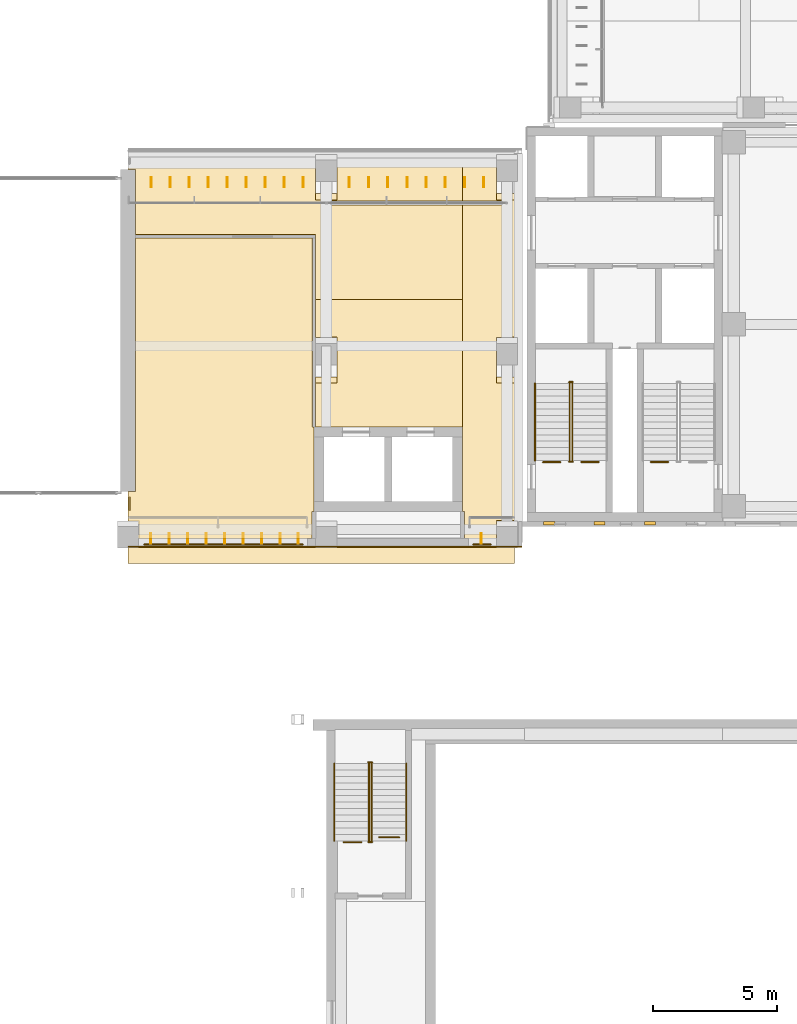
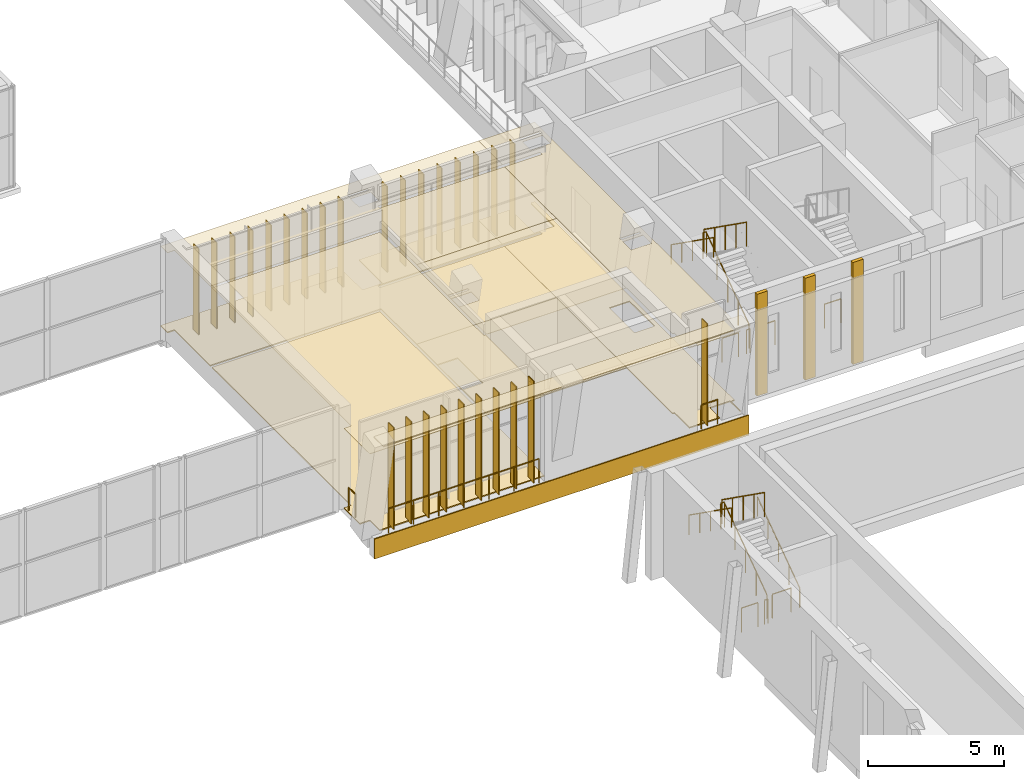
# One storey, part 77 of 92: 27 shading devices, 19 railings, 13 coverings.
"""IFC4 building model written with IfcOpenShell, lengths in metres."""

from ifc_helpers import new_model, si_unit, direction, frame, frame_2d, origin, origin_2d, place, context, subcontext, project, spatial, polyline, rectangle, circle, outline, extrude, material, layer, layer_set, type_object, element, save


model = new_model("IFC4")

# Units and contexts
model_context = context("Model", 3, precision=1e-05, world=origin(), true_north=direction((0.0, 1.0)))
body_context = subcontext(model_context, "Body", "Model", "MODEL_VIEW")
ifc_project = project(units=[si_unit("LENGTHUNIT", "METRE"), si_unit("AREAUNIT", "SQUARE_METRE"), si_unit("VOLUMEUNIT", "CUBIC_METRE"), si_unit("PLANEANGLEUNIT", "RADIAN"), si_unit("MASSUNIT", "GRAM", prefix="KILO")], contexts=[model_context])

# Site, building, storey
site_placement = place(None, origin())
site = spatial("IfcSite", under=ifc_project, at=site_placement, CompositionType="ELEMENT")
building_placement = place(site_placement, origin())
building = spatial("IfcBuilding", under=site, at=building_placement, Name="Lantern Court Media Centre", CompositionType="ELEMENT")
storey_placement = place(building_placement, frame((0.0, 0.0, 4.800048828125)))
storey = spatial("IfcBuildingStorey", under=building, at=storey_placement, Name="L01", CompositionType="ELEMENT", Elevation=4.800048828125)

# Covering
ifc_material_1 = material(Name="Carpet")
ifc_layer_1 = layer(ifc_material_1, 0.050048828125)
ifc_layer_set_1 = layer_set([ifc_layer_1], Name="Carpet")
covering_type_1 = type_object("IfcCoveringType", Name="Carpet floor finish", PredefinedType="FLOORING", material=ifc_layer_set_1)
covering_1_placement = place(storey_placement, origin())
element("IfcCovering", 1, at=covering_1_placement, inside=storey, type_object=covering_type_1, Name="Exhibition Gallery floor finish", PredefinedType="FLOORING", context=body_context, shape_type="SweptSolid", body=[
    extrude(outline(polyline([(64.0, 49.195068359375), (64.304931640625, 49.199951171875), (64.304931640625, 59.4326171875), (71.4326171875, 59.4326171875), (71.4326171875, 51.800048828125), (71.4951171875, 51.794921875), (71.4951171875, 48.405029296875), (71.4150390625, 48.400390625), (71.4150390625, 47.304931640625), (64.429931640625, 47.300048828125), (64.429443359375, 48.02734375), (64.0, 48.030029296875), (64.0, 49.195068359375)])), origin(), (0.0, 0.0, 1.0), 0.050048828125),
])

# Railings
ifc_material_2 = material(Name="Powder-coated steel", Category="steel")
railing_type_1 = type_object("IfcRailingType", Name="Floor edge guard 1100", PredefinedType="GUARDRAIL", material=ifc_material_2)
for number, where, name in (
    (2, (85.8037109375, 50.390380859375, 0.0), "L01 opening guard 48"),
    (3, (83.0, 50.390380859375, 0.0), "L01 opening guard 49"),
    (4, (81.45361328125, 50.390380859375, 0.0), "L01 opening guard 50"),
):
    element("IfcRailing", number, at=place(storey_placement, frame(where)), inside=storey, type_object=railing_type_1, Name=name, PredefinedType="GUARDRAIL", context=body_context, shape_type="SweptSolid", body=[
        extrude(circle(Radius=0.02392578125, at=origin_2d()), frame((0.0, 0.0, 1.076171875), z_axis=(-1.0, 0.0, 0.0), x_axis=(0.0, -1.0, 0.0)), (0.0, 0.0, 1.0), 0.70361328125),
        extrude(circle(Radius=0.02099609375, at=origin_2d()), origin(), (0.0, 0.0, 1.0), 1.052001953125),
        extrude(circle(Radius=0.02099609375, at=origin_2d()), frame((-0.70361328125, 0.0, 0.0)), (0.0, 0.0, 1.0), 1.052001953125),
    ])
railing_1_placement = place(storey_placement, frame((64.06005859375, 48.4580078125, 0.0)))
element("IfcRailing", 5, at=railing_1_placement, inside=storey, type_object=railing_type_1, Name="L01 edge guard 18", PredefinedType="GUARDRAIL", context=body_context, shape_type="SweptSolid", body=[
    extrude(circle(Radius=0.02392578125, at=origin_2d()), frame((0.0, 0.0, 1.076171875), z_axis=(0.0, 1.0, 0.0), x_axis=(-1.0, 0.0, 0.0)), (0.0, 0.0, 1.0), 0.5),
    extrude(circle(Radius=0.02099609375, at=origin_2d()), origin(), (0.0, 0.0, 1.0), 1.052001953125),
    extrude(circle(Radius=0.02099609375, at=origin_2d()), frame((0.0, 0.5, 0.0)), (0.0, 0.0, 1.0), 1.052001953125),
])
railing_2_placement = place(storey_placement, frame((71.051025390625, 47.06005859375, 0.0)))
element("IfcRailing", 6, at=railing_2_placement, inside=storey, type_object=railing_type_1, Name="L01 edge guard 20", PredefinedType="GUARDRAIL", context=body_context, shape_type="SweptSolid", body=[
    extrude(circle(Radius=0.02392578125, at=origin_2d()), frame((0.0, 0.0, 1.076171875), z_axis=(-1.0, 0.0, 0.0), x_axis=(0.0, -1.0, 0.0)), (0.0, 0.0, 1.0), 6.39208984375),
    extrude(circle(Radius=0.02099609375, at=origin_2d()), origin(), (0.0, 0.0, 1.0), 1.052001953125),
    extrude(circle(Radius=0.02099609375, at=origin_2d()), frame((-1.0654296875, 0.0, 0.0)), (0.0, 0.0, 1.0), 1.052001953125),
    extrude(circle(Radius=0.02099609375, at=origin_2d()), frame((-2.130615234375, 0.0, 0.0)), (0.0, 0.0, 1.0), 1.052001953125),
    extrude(circle(Radius=0.02099609375, at=origin_2d()), frame((-3.196044921875, 0.0, 0.0)), (0.0, 0.0, 1.0), 1.052001953125),
    extrude(circle(Radius=0.02099609375, at=origin_2d()), frame((-4.261474609375, 0.0, 0.0)), (0.0, 0.0, 1.0), 1.052001953125),
    extrude(circle(Radius=0.02099609375, at=origin_2d()), frame((-5.32666015625, 0.0, 0.0)), (0.0, 0.0, 1.0), 1.052001953125),
    extrude(circle(Radius=0.02099609375, at=origin_2d()), frame((-6.39208984375, 0.0, 0.0)), (0.0, 0.0, 1.0), 1.052001953125),
])
railing_3_placement = place(storey_placement, frame((72.7099609375, 35.0400390625, 0.0)))
element("IfcRailing", 7, at=railing_3_placement, inside=storey, type_object=railing_type_1, Name="L01 edge guard 21", PredefinedType="GUARDRAIL", context=body_context, shape_type="SweptSolid", body=[
    extrude(circle(Radius=0.02392578125, at=origin_2d()), frame((0.0, 0.0, 1.076171875), z_axis=(1.0, 0.0, 0.0), x_axis=(0.0, 1.0, 0.0)), (0.0, 0.0, 1.0), 0.699951171875),
    extrude(circle(Radius=0.02099609375, at=origin_2d()), origin(), (0.0, 0.0, 1.0), 1.052001953125),
    extrude(circle(Radius=0.02099609375, at=origin_2d()), frame((0.699951171875, 0.0, 0.0)), (0.0, 0.0, 1.0), 1.052001953125),
])
railing_4_placement = place(storey_placement, frame((74.139892578125, 35.239990234375, 0.0)))
element("IfcRailing", 8, at=railing_4_placement, inside=storey, type_object=railing_type_1, Name="L01 edge guard 22", PredefinedType="GUARDRAIL", context=body_context, shape_type="SweptSolid", body=[
    extrude(circle(Radius=0.02392578125, at=origin_2d()), frame((0.0, 0.0, 1.076171875), z_axis=(1.0, 0.0, 0.0), x_axis=(0.0, 1.0, 0.0)), (0.0, 0.0, 1.0), 0.800048828125),
    extrude(circle(Radius=0.02099609375, at=origin_2d()), origin(), (0.0, 0.0, 1.0), 1.052001953125),
    extrude(circle(Radius=0.02099609375, at=origin_2d()), frame((0.800048828125, 0.0, 0.0)), (0.0, 0.0, 1.0), 1.052001953125),
])
railing_5_placement = place(storey_placement, frame((78.64111328125, 47.06005859375, 0.0)))
element("IfcRailing", 9, at=railing_5_placement, inside=storey, type_object=railing_type_1, Name="L01 edge guard 25", PredefinedType="GUARDRAIL", context=body_context, shape_type="SweptSolid", body=[
    extrude(circle(Radius=0.02392578125, at=origin_2d()), frame((0.0, 0.0, 1.076171875), z_axis=(-1.0, 0.0, 0.0), x_axis=(0.0, -1.0, 0.0)), (0.0, 0.0, 1.0), 0.69921875),
    extrude(circle(Radius=0.02099609375, at=origin_2d()), origin(), (0.0, 0.0, 1.0), 1.052001953125),
    extrude(circle(Radius=0.02099609375, at=origin_2d()), frame((-0.69921875, 0.0, 0.0)), (0.0, 0.0, 1.0), 1.052001953125),
])

# Coverings
ifc_material_3 = material(Name="White glass-fibre reinforced cement cladding", Category="concrete")
ifc_layer_2 = layer(ifc_material_3, 0.050048828125)
ifc_layer_set_2 = layer_set([ifc_layer_2], Name="White glass-fibre reinforced cement cladding")
covering_type_2 = type_object("IfcCoveringType", Name="Floor-edge band 50", PredefinedType="CLADDING", material=ifc_layer_set_2)
covering_2_placement = place(storey_placement, frame((64.0, 46.97509765625, -0.900146484375), z_axis=(0.0, 0.0, 1.0), x_axis=(1.0, 0.0, 0.0)))
element("IfcCovering", 10, at=covering_2_placement, inside=storey, type_object=covering_type_2, Name="Floor-edge band S outer L01", PredefinedType="CLADDING", context=body_context, shape_type="SweptSolid", body=[
    extrude(rectangle(XDim=15.89990234375, YDim=0.050048828125, at=frame_2d((7.949951171875, 0.0))), origin(), (0.0, 0.0, 1.0), 0.900146484375),
])
ifc_material_4 = material(Name="Honed limestone cladding", Category="masonry")
ifc_layer_3 = layer(ifc_material_4, 0.14990234375)
ifc_layer_set_3 = layer_set([ifc_layer_3], Name="Honed limestone cladding")
covering_type_3 = type_object("IfcCoveringType", Name="Limestone pilaster cladding 150", PredefinedType="CLADDING", material=ifc_layer_set_3)
covering_3_placement = place(storey_placement, frame((80.77490234375, 47.925048828125, 0.0), z_axis=(0.0, 0.0, 1.0), x_axis=(1.0, 0.0, 0.0)))
element("IfcCovering", 11, at=covering_3_placement, inside=storey, type_object=covering_type_3, Name="Limestone pilaster rib", PredefinedType="CLADDING", context=body_context, shape_type="SweptSolid", body=[
    extrude(rectangle(XDim=0.4501953125, YDim=0.14990234375, at=frame_2d((0.22509765625, 0.0))), origin(), (0.0, 0.0, 1.0), 4.579833984375),
])
covering_4_placement = place(storey_placement, frame((82.808349609375, 47.925048828125, 0.0), z_axis=(0.0, 0.0, 1.0), x_axis=(1.0, 0.0, 0.0)))
element("IfcCovering", 12, at=covering_4_placement, inside=storey, type_object=covering_type_3, Name="Limestone pilaster rib", PredefinedType="CLADDING", context=body_context, shape_type="SweptSolid", body=[
    extrude(rectangle(XDim=0.449951171875, YDim=0.14990234375, at=frame_2d((0.22509765625, 0.0))), origin(), (0.0, 0.0, 1.0), 4.579833984375),
])
covering_5_placement = place(storey_placement, frame((84.841552734375, 47.925048828125, 0.0), z_axis=(0.0, 0.0, 1.0), x_axis=(1.0, 0.0, 0.0)))
element("IfcCovering", 13, at=covering_5_placement, inside=storey, type_object=covering_type_3, Name="Limestone pilaster rib", PredefinedType="CLADDING", context=body_context, shape_type="SweptSolid", body=[
    extrude(rectangle(XDim=0.4501953125, YDim=0.14990234375, at=frame_2d((0.22509765625, 0.0))), origin(), (0.0, 0.0, 1.0), 4.579833984375),
])
ifc_material_5 = material(Name="White fibre cement soffit board")
ifc_layer_4 = layer(ifc_material_5, 0.0400390625)
ifc_layer_set_4 = layer_set([ifc_layer_4], Name="White fibre cement soffit board")
covering_type_4 = type_object("IfcCoveringType", Name="Soffit lining 40", PredefinedType="CLADDING", material=ifc_layer_set_4)
covering_6_placement = place(storey_placement, frame((64.0, 46.64990234375, 4.5400390625), z_axis=(0.0, 0.0, 1.0), x_axis=(1.0, 0.0, 0.0)))
element("IfcCovering", 14, at=covering_6_placement, inside=storey, type_object=covering_type_4, Name="Soffit lining S L01", PredefinedType="CLADDING", context=body_context, shape_type="SweptSolid", body=[
    extrude(rectangle(XDim=15.60009765625, YDim=0.699951171875, at=frame_2d((7.800048828125, 0.0))), origin(), (0.0, 0.0, 1.0), 0.039794921875),
])

# Railings
railing_type_2 = type_object("IfcRailingType", Name="Stair guard 1100", PredefinedType="GUARDRAIL", material=ifc_material_2)
railing_6_placement = place(storey_placement, frame((81.926025390625, 50.449951171875, 0.1845703125)))
element("IfcRailing", 15, at=railing_6_placement, inside=storey, type_object=railing_type_2, Name="L01 ST-SEB stair guard 1", PredefinedType="GUARDRAIL", context=body_context, shape_type="SweptSolid", body=[
    extrude(circle(Radius=0.02392578125, at=origin_2d()), frame((0.0, 0.0, 1.076171875), z_axis=(0.0, 0.815376961211, 0.578930402662), x_axis=(-1.0, 0.0, 0.0)), (0.0, 0.0, 1.0), 3.82666015625),
    extrude(circle(Radius=0.02099609375, at=origin_2d()), origin(), (0.0, 0.0, 1.0), 1.052001953125),
    extrude(circle(Radius=0.02099609375, at=origin_2d()), frame((0.0, 0.780029296875, 0.5537109375)), (0.0, 0.0, 1.0), 1.052001953125),
    extrude(circle(Radius=0.02099609375, at=origin_2d()), frame((0.0, 1.56005859375, 1.107666015625)), (0.0, 0.0, 1.0), 1.052001953125),
    extrude(circle(Radius=0.02099609375, at=origin_2d()), frame((0.0, 2.340087890625, 1.66162109375)), (0.0, 0.0, 1.0), 1.052001953125),
    extrude(circle(Radius=0.02099609375, at=origin_2d()), frame((0.0, 3.1201171875, 2.21533203125)), (0.0, 0.0, 1.0), 1.052001953125),
])
railing_7_placement = place(storey_placement, frame((81.949951171875, 53.6201171875, 2.39990234375)))
element("IfcRailing", 16, at=railing_7_placement, inside=storey, type_object=railing_type_2, Name="L01 ST-SEB stair guard 2", PredefinedType="GUARDRAIL", context=body_context, shape_type="SweptSolid", body=[
    extrude(circle(Radius=0.02392578125, at=origin_2d()), frame((0.0, 0.0, 1.076171875), z_axis=(-1.0, 0.0, 0.0), x_axis=(0.0, -1.0, 0.0)), (0.0, 0.0, 1.0), 0.14990234375),
    extrude(circle(Radius=0.02099609375, at=origin_2d()), origin(), (0.0, 0.0, 1.0), 1.052001953125),
    extrude(circle(Radius=0.02099609375, at=origin_2d()), frame((-0.14990234375, 0.0, 0.0)), (0.0, 0.0, 1.0), 1.052001953125),
])
railing_8_placement = place(storey_placement, frame((81.823974609375, 53.570068359375, 2.58447265625)))
element("IfcRailing", 17, at=railing_8_placement, inside=storey, type_object=railing_type_2, Name="L01 ST-SEB stair guard 3", PredefinedType="GUARDRAIL", context=body_context, shape_type="SweptSolid", body=[
    extrude(circle(Radius=0.02392578125, at=origin_2d()), frame((0.0, 0.0, 1.076171875), z_axis=(0.0, -0.815346844174, 0.578972817752), x_axis=(1.0, 0.0, 0.0)), (0.0, 0.0, 1.0), 3.82666015625),
    extrude(circle(Radius=0.02099609375, at=origin_2d()), origin(), (0.0, 0.0, 1.0), 1.052001953125),
    extrude(circle(Radius=0.02099609375, at=origin_2d()), frame((0.0, -0.780029296875, 0.553955078125)), (0.0, 0.0, 1.0), 1.052001953125),
    extrude(circle(Radius=0.02099609375, at=origin_2d()), frame((0.0, -1.56005859375, 1.10791015625)), (0.0, 0.0, 1.0), 1.052001953125),
    extrude(circle(Radius=0.02099609375, at=origin_2d()), frame((0.0, -2.340087890625, 1.66162109375)), (0.0, 0.0, 1.0), 1.052001953125),
    extrude(circle(Radius=0.02099609375, at=origin_2d()), frame((0.0, -3.1201171875, 2.215576171875)), (0.0, 0.0, 1.0), 1.052001953125),
])
railing_9_placement = place(storey_placement, frame((81.949951171875, 50.39990234375, 0.0)))
element("IfcRailing", 18, at=railing_9_placement, inside=storey, type_object=railing_type_2, Name="L01 ST-SEB stair guard 4", PredefinedType="GUARDRAIL", context=body_context, shape_type="SweptSolid", body=[
    extrude(circle(Radius=0.02392578125, at=origin_2d()), frame((0.0, 0.0, 1.076171875), z_axis=(-1.0, 0.0, 0.0), x_axis=(0.0, -1.0, 0.0)), (0.0, 0.0, 1.0), 0.14990234375),
    extrude(circle(Radius=0.02099609375, at=origin_2d()), origin(), (0.0, 0.0, 1.0), 1.052001953125),
    extrude(circle(Radius=0.02099609375, at=origin_2d()), frame((-0.14990234375, 0.0, 0.0)), (0.0, 0.0, 1.0), 1.052001953125),
])
railing_10_placement = place(storey_placement, frame((73.825927734375, 35.10009765625, 0.1845703125)))
element("IfcRailing", 19, at=railing_10_placement, inside=storey, type_object=railing_type_2, Name="L01 ST-V2-ST-W stair guard 1", PredefinedType="GUARDRAIL", context=body_context, shape_type="SweptSolid", body=[
    extrude(circle(Radius=0.02392578125, at=origin_2d()), frame((0.0, 0.0, 1.076171875), z_axis=(0.0, 0.815355575968, 0.57896052088), x_axis=(-1.0, 0.0, 0.0)), (0.0, 0.0, 1.0), 3.826416015625),
    extrude(circle(Radius=0.02099609375, at=origin_2d()), origin(), (0.0, 0.0, 1.0), 1.052001953125),
    extrude(circle(Radius=0.02099609375, at=origin_2d()), frame((0.0, 0.780029296875, 0.5537109375)), (0.0, 0.0, 1.0), 1.052001953125),
    extrude(circle(Radius=0.02099609375, at=origin_2d()), frame((0.0, 1.56005859375, 1.107666015625)), (0.0, 0.0, 1.0), 1.052001953125),
    extrude(circle(Radius=0.02099609375, at=origin_2d()), frame((0.0, 2.33984375, 1.66162109375)), (0.0, 0.0, 1.0), 1.052001953125),
    extrude(circle(Radius=0.02099609375, at=origin_2d()), frame((0.0, 3.119873046875, 2.21533203125)), (0.0, 0.0, 1.0), 1.052001953125),
])
railing_11_placement = place(storey_placement, frame((73.85009765625, 38.27001953125, 2.39990234375)))
element("IfcRailing", 20, at=railing_11_placement, inside=storey, type_object=railing_type_2, Name="L01 ST-V2-ST-W stair guard 2", PredefinedType="GUARDRAIL", context=body_context, shape_type="SweptSolid", body=[
    extrude(circle(Radius=0.02392578125, at=origin_2d()), frame((0.0, 0.0, 1.076171875), z_axis=(-1.0, 0.0, 0.0), x_axis=(0.0, -1.0, 0.0)), (0.0, 0.0, 1.0), 0.150146484375),
    extrude(circle(Radius=0.02099609375, at=origin_2d()), origin(), (0.0, 0.0, 1.0), 1.052001953125),
    extrude(circle(Radius=0.02099609375, at=origin_2d()), frame((-0.150146484375, 0.0, 0.0)), (0.0, 0.0, 1.0), 1.052001953125),
])
railing_12_placement = place(storey_placement, frame((73.72412109375, 38.219970703125, 2.58447265625)))
element("IfcRailing", 21, at=railing_12_placement, inside=storey, type_object=railing_type_2, Name="L01 ST-V2-ST-W stair guard 3", PredefinedType="GUARDRAIL", context=body_context, shape_type="SweptSolid", body=[
    extrude(circle(Radius=0.02392578125, at=origin_2d()), frame((0.0, 0.0, 1.076171875), z_axis=(0.0, -0.815325456587, 0.579002935952), x_axis=(1.0, 0.0, 0.0)), (0.0, 0.0, 1.0), 3.826416015625),
    extrude(circle(Radius=0.02099609375, at=origin_2d()), origin(), (0.0, 0.0, 1.0), 1.052001953125),
    extrude(circle(Radius=0.02099609375, at=origin_2d()), frame((0.0, -0.780029296875, 0.553955078125)), (0.0, 0.0, 1.0), 1.052001953125),
    extrude(circle(Radius=0.02099609375, at=origin_2d()), frame((0.0, -1.56005859375, 1.10791015625)), (0.0, 0.0, 1.0), 1.052001953125),
    extrude(circle(Radius=0.02099609375, at=origin_2d()), frame((0.0, -2.33984375, 1.66162109375)), (0.0, 0.0, 1.0), 1.052001953125),
    extrude(circle(Radius=0.02099609375, at=origin_2d()), frame((0.0, -3.119873046875, 2.215576171875)), (0.0, 0.0, 1.0), 1.052001953125),
])
railing_13_placement = place(storey_placement, frame((73.85009765625, 35.050048828125, 0.0)))
element("IfcRailing", 22, at=railing_13_placement, inside=storey, type_object=railing_type_2, Name="L01 ST-V2-ST-W stair guard 4", PredefinedType="GUARDRAIL", context=body_context, shape_type="SweptSolid", body=[
    extrude(circle(Radius=0.02392578125, at=origin_2d()), frame((0.0, 0.0, 1.076171875), z_axis=(-1.0, 0.0, 0.0), x_axis=(0.0, -1.0, 0.0)), (0.0, 0.0, 1.0), 0.150146484375),
    extrude(circle(Radius=0.02099609375, at=origin_2d()), origin(), (0.0, 0.0, 1.0), 1.052001953125),
    extrude(circle(Radius=0.02099609375, at=origin_2d()), frame((-0.150146484375, 0.0, 0.0)), (0.0, 0.0, 1.0), 1.052001953125),
])
railing_type_3 = type_object("IfcRailingType", Name="Stair handrail 900", PredefinedType="HANDRAIL", material=ifc_material_2)
railing_14_placement = place(storey_placement, frame((80.426025390625, 53.570068359375, 2.58447265625)))
element("IfcRailing", 23, at=railing_14_placement, inside=storey, type_object=railing_type_3, Name="L01 ST-SEB stair handrail 2", PredefinedType="HANDRAIL", context=body_context, shape_type="SweptSolid", body=[
    extrude(circle(Radius=0.02392578125, at=origin_2d()), frame((0.0, 0.0, 0.8759765625), z_axis=(0.0, -0.815346844174, 0.578972817752), x_axis=(1.0, 0.0, 0.0)), (0.0, 0.0, 1.0), 3.82666015625),
    extrude(circle(Radius=0.02099609375, at=origin_2d()), origin(), (0.0, 0.0, 1.0), 0.851806640625),
    extrude(circle(Radius=0.02099609375, at=origin_2d()), frame((0.0, -0.780029296875, 0.553955078125)), (0.0, 0.0, 1.0), 0.851806640625),
    extrude(circle(Radius=0.02099609375, at=origin_2d()), frame((0.0, -1.56005859375, 1.10791015625)), (0.0, 0.0, 1.0), 0.851806640625),
    extrude(circle(Radius=0.02099609375, at=origin_2d()), frame((0.0, -2.340087890625, 1.66162109375)), (0.0, 0.0, 1.0), 0.851806640625),
    extrude(circle(Radius=0.02099609375, at=origin_2d()), frame((0.0, -3.1201171875, 2.215576171875)), (0.0, 0.0, 1.0), 0.851806640625),
])
railing_15_placement = place(storey_placement, frame((75.22412109375, 35.10009765625, 0.1845703125)))
element("IfcRailing", 24, at=railing_15_placement, inside=storey, type_object=railing_type_3, Name="L01 ST-V2-ST-W stair handrail 1", PredefinedType="HANDRAIL", context=body_context, shape_type="SweptSolid", body=[
    extrude(circle(Radius=0.02392578125, at=origin_2d()), frame((0.0, 0.0, 0.8759765625), z_axis=(0.0, 0.815355575968, 0.57896052088), x_axis=(-1.0, 0.0, 0.0)), (0.0, 0.0, 1.0), 3.826416015625),
    extrude(circle(Radius=0.02099609375, at=origin_2d()), origin(), (0.0, 0.0, 1.0), 0.851806640625),
    extrude(circle(Radius=0.02099609375, at=origin_2d()), frame((0.0, 0.780029296875, 0.5537109375)), (0.0, 0.0, 1.0), 0.851806640625),
    extrude(circle(Radius=0.02099609375, at=origin_2d()), frame((0.0, 1.56005859375, 1.107666015625)), (0.0, 0.0, 1.0), 0.851806640625),
    extrude(circle(Radius=0.02099609375, at=origin_2d()), frame((0.0, 2.33984375, 1.66162109375)), (0.0, 0.0, 1.0), 0.851806640625),
    extrude(circle(Radius=0.02099609375, at=origin_2d()), frame((0.0, 3.119873046875, 2.21533203125)), (0.0, 0.0, 1.0), 0.851806640625),
])
railing_16_placement = place(storey_placement, frame((72.325927734375, 38.219970703125, 2.58447265625)))
element("IfcRailing", 25, at=railing_16_placement, inside=storey, type_object=railing_type_3, Name="L01 ST-V2-ST-W stair handrail 2", PredefinedType="HANDRAIL", context=body_context, shape_type="SweptSolid", body=[
    extrude(circle(Radius=0.02392578125, at=origin_2d()), frame((0.0, 0.0, 0.8759765625), z_axis=(0.0, -0.815325456587, 0.579002935952), x_axis=(1.0, 0.0, 0.0)), (0.0, 0.0, 1.0), 3.826416015625),
    extrude(circle(Radius=0.02099609375, at=origin_2d()), origin(), (0.0, 0.0, 1.0), 0.851806640625),
    extrude(circle(Radius=0.02099609375, at=origin_2d()), frame((0.0, -0.780029296875, 0.553955078125)), (0.0, 0.0, 1.0), 0.851806640625),
    extrude(circle(Radius=0.02099609375, at=origin_2d()), frame((0.0, -1.56005859375, 1.10791015625)), (0.0, 0.0, 1.0), 0.851806640625),
    extrude(circle(Radius=0.02099609375, at=origin_2d()), frame((0.0, -2.33984375, 1.66162109375)), (0.0, 0.0, 1.0), 0.851806640625),
    extrude(circle(Radius=0.02099609375, at=origin_2d()), frame((0.0, -3.119873046875, 2.215576171875)), (0.0, 0.0, 1.0), 0.851806640625),
])

# Coverings
ifc_material_6 = material(Name="Mineral fibre ceiling tile")
ifc_layer_5 = layer(ifc_material_6, 0.02001953125)
ifc_layer_set_5 = layer_set([ifc_layer_5], Name="Mineral fibre ceiling tile")
covering_type_5 = type_object("IfcCoveringType", Name="Suspended ceiling tile", PredefinedType="CEILING", material=ifc_layer_set_5)
covering_7_placement = place(storey_placement, frame((0.0, 0.0, 3.599853515625)))
element("IfcCovering", 26, at=covering_7_placement, inside=storey, type_object=covering_type_5, Name="End Lobby ceiling", PredefinedType="CEILING", context=body_context, shape_type="SweptSolid", body=[
    extrude(outline(polyline([(77.5, 62.699951171875), (79.89990234375, 62.699951171875), (79.89990234375, 48.00048828125), (79.759521484375, 48.0), (79.759521484375, 47.300048828125), (77.58056640625, 47.300537109375), (77.58056640625, 48.400146484375), (77.50048828125, 48.400390625), (77.5, 60.7744140625), (79.10009765625, 60.7744140625), (79.1005859375, 60.925048828125), (77.5, 60.925537109375), (77.5, 62.699951171875)]), holes=[polyline([(79.72509765625, 53.822509765625), (79.725341796875, 54.425537109375), (78.87451171875, 54.42529296875), (78.874755859375, 53.822509765625), (79.72509765625, 53.822509765625)]), polyline([(79.72509765625, 54.574462890625), (79.72509765625, 54.67333984375), (78.87451171875, 54.6728515625), (78.875, 54.574462890625), (79.72509765625, 54.574462890625)]), polyline([(79.72509765625, 61.222412109375), (79.725341796875, 61.825439453125), (78.87451171875, 61.8251953125), (78.874755859375, 61.222412109375), (79.72509765625, 61.222412109375)]), polyline([(79.72509765625, 61.974609375), (79.72509765625, 62.073486328125), (78.87451171875, 62.072998046875), (78.875, 61.974609375), (79.72509765625, 61.974609375)])]), origin(), (0.0, 0.0, 1.0), 0.02001953125),
])
covering_8_placement = place(storey_placement, frame((0.0, 0.0, 3.599853515625)))
element("IfcCovering", 27, at=covering_8_placement, inside=storey, type_object=covering_type_5, Name="Lift Lobby ceiling", PredefinedType="CEILING", context=body_context, shape_type="SweptSolid", body=[
    extrude(outline(polyline([(77.5, 56.949951171875), (77.5, 51.800537109375), (71.56298828125, 51.800537109375), (71.56298828125, 56.949951171875), (77.5, 56.949951171875)]), holes=[polyline([(72.425048828125, 53.822509765625), (72.42529296875, 54.425537109375), (71.574462890625, 54.42529296875), (71.57470703125, 53.822509765625), (72.425048828125, 53.822509765625)]), polyline([(72.425048828125, 54.574462890625), (72.425048828125, 54.67333984375), (71.574462890625, 54.6728515625), (71.574951171875, 54.574462890625), (72.425048828125, 54.574462890625)])]), origin(), (0.0, 0.0, 1.0), 0.02001953125),
])
covering_9_placement = place(storey_placement, frame((0.0, 0.0, 3.599853515625)))
element("IfcCovering", 28, at=covering_9_placement, inside=storey, type_object=covering_type_5, Name="Exhibition Gallery ceiling", PredefinedType="CEILING", context=body_context, shape_type="SweptSolid", body=[
    extrude(outline(polyline([(64.304443359375, 59.5), (64.304931640625, 59.43701171875), (71.43701171875, 59.43701171875), (71.43701171875, 51.800048828125), (71.49951171875, 51.799560546875), (71.49951171875, 48.400390625), (71.41943359375, 48.400146484375), (71.41943359375, 47.300537109375), (64.0, 47.300048828125), (64.0, 49.199462890625), (64.300537109375, 49.199951171875), (64.304443359375, 59.5)])), origin(), (0.0, 0.0, 1.0), 0.02001953125),
])
covering_10_placement = place(storey_placement, frame((0.0, 0.0, 3.599853515625)))
element("IfcCovering", 29, at=covering_10_placement, inside=storey, type_object=covering_type_5, Name="Corridor ceiling", PredefinedType="CEILING", context=body_context, shape_type="SweptSolid", body=[
    extrude(outline(polyline([(64.0, 62.699951171875), (77.5, 62.699951171875), (77.5, 60.925537109375), (72.199462890625, 60.925048828125), (72.199951171875, 60.7744140625), (77.5, 60.7744140625), (77.5, 56.949951171875), (71.56298828125, 56.949951171875), (71.5625, 59.56298828125), (64.304931640625, 59.56298828125), (64.300537109375, 59.5), (64.300537109375, 62.199951171875), (64.0, 62.200439453125), (64.0, 62.699951171875)]), holes=[polyline([(72.425048828125, 61.222412109375), (72.42529296875, 61.825439453125), (71.574462890625, 61.8251953125), (71.57470703125, 61.222412109375), (72.425048828125, 61.222412109375)]), polyline([(72.425048828125, 61.974609375), (72.425048828125, 62.073486328125), (71.574462890625, 62.072998046875), (71.574951171875, 61.974609375), (72.425048828125, 61.974609375)])]), origin(), (0.0, 0.0, 1.0), 0.02001953125),
])
ifc_material_7 = material(Name="Terrazzo")
ifc_layer_6 = layer(ifc_material_7, 0.050048828125)
ifc_layer_set_6 = layer_set([ifc_layer_6], Name="Terrazzo")
covering_type_6 = type_object("IfcCoveringType", Name="Terrazzo floor finish", PredefinedType="FLOORING", material=ifc_layer_set_6)
covering_11_placement = place(storey_placement, origin())
element("IfcCovering", 30, at=covering_11_placement, inside=storey, type_object=covering_type_6, Name="End Lobby floor finish", PredefinedType="FLOORING", context=body_context, shape_type="SweptSolid", body=[
    extrude(outline(polyline([(79.89990234375, 62.699951171875), (79.89990234375, 48.0048828125), (79.755126953125, 48.0009765625), (79.7548828125, 47.300048828125), (79.72998046875, 47.300048828125), (79.72509765625, 48.030029296875), (78.871826171875, 48.02880859375), (78.8701171875, 47.300048828125), (77.5849609375, 47.304931640625), (77.5849609375, 48.400390625), (77.5048828125, 48.405029296875), (77.5, 60.77001953125), (79.1005859375, 60.77001953125), (79.10498046875, 60.925048828125), (77.5, 60.929931640625), (77.5, 62.699951171875), (78.8701171875, 62.699951171875), (78.875, 60.969970703125), (79.7294921875, 60.97265625), (79.72998046875, 62.699951171875), (79.89990234375, 62.699951171875)]), holes=[polyline([(78.8701171875, 53.574951171875), (79.729736328125, 53.572998046875), (79.726806640625, 55.4296875), (78.870361328125, 55.427001953125), (78.8701171875, 53.574951171875)])]), origin(), (0.0, 0.0, 1.0), 0.050048828125),
])
covering_12_placement = place(storey_placement, origin())
element("IfcCovering", 31, at=covering_12_placement, inside=storey, type_object=covering_type_6, Name="Lift Lobby floor finish", PredefinedType="FLOORING", context=body_context, shape_type="SweptSolid", body=[
    extrude(outline(polyline([(77.5, 56.949951171875), (77.5, 51.804931640625), (71.5673828125, 51.804931640625), (71.5673828125, 56.949951171875), (77.5, 56.949951171875)]), holes=[polyline([(71.570068359375, 53.574951171875), (72.4296875, 53.572998046875), (72.427001953125, 55.4296875), (71.5703125, 55.427001953125), (71.570068359375, 53.574951171875)])]), origin(), (0.0, 0.0, 1.0), 0.050048828125),
])
covering_13_placement = place(storey_placement, origin())
element("IfcCovering", 32, at=covering_13_placement, inside=storey, type_object=covering_type_6, Name="Corridor floor finish", PredefinedType="FLOORING", context=body_context, shape_type="SweptSolid", body=[
    extrude(outline(polyline([(77.5, 62.699951171875), (77.5, 60.929931640625), (72.195068359375, 60.925048828125), (72.199951171875, 60.77001953125), (77.5, 60.77001953125), (77.5, 56.949951171875), (71.5673828125, 56.949951171875), (71.5634765625, 59.5673828125), (64.304931640625, 59.5673828125), (64.304931640625, 62.200439453125), (64.0, 62.205078125), (64.0, 62.699951171875), (71.570068359375, 62.699951171875), (71.574951171875, 60.969970703125), (72.429443359375, 60.97265625), (72.429931640625, 62.699951171875), (77.5, 62.699951171875)])), origin(), (0.0, 0.0, 1.0), 0.050048828125),
])

# Shading devices
ifc_material_8 = material(Name="Bronze anodised aluminium louvre", Category="aluminium")
ifc_layer_7 = layer(ifc_material_8, 0.0400390625)
ifc_layer_set_7 = layer_set([ifc_layer_7], Name="Bronze anodised aluminium louvre")
shading_device_type_1 = type_object("IfcShadingDeviceType", Name="Vertical louvre 40x400 full storey", PredefinedType="USERDEFINED", material=ifc_layer_set_7)
for number, where, z_axis, x_axis, name in (
    (33, (64.922119140625, 47.320068359375, 0.0), (0.0, 0.0, 1.0), (1.0, 0.0, 0.0), "Vertical louvre S outer L01"),
    (34, (65.666748046875, 47.320068359375, 0.0), (0.0, 0.0, 1.0), (1.0, 0.0, 0.0), "Vertical louvre S outer L01"),
    (35, (66.4111328125, 47.320068359375, 0.0), (0.0, 0.0, 1.0), (1.0, 0.0, 0.0), "Vertical louvre S outer L01"),
    (36, (67.155517578125, 47.320068359375, 0.0), (0.0, 0.0, 1.0), (1.0, 0.0, 0.0), "Vertical louvre S outer L01"),
    (37, (67.89990234375, 47.320068359375, 0.0), (0.0, 0.0, 1.0), (1.0, 0.0, 0.0), "Vertical louvre S outer L01"),
    (38, (68.64453125, 47.320068359375, 0.0), (0.0, 0.0, 1.0), (1.0, 0.0, 0.0), "Vertical louvre S outer L01"),
    (39, (69.388916015625, 47.320068359375, 0.0), (0.0, 0.0, 1.0), (1.0, 0.0, 0.0), "Vertical louvre S outer L01"),
    (40, (70.13330078125, 47.320068359375, 0.0), (0.0, 0.0, 1.0), (1.0, 0.0, 0.0), "Vertical louvre S outer L01"),
    (41, (70.877685546875, 47.320068359375, 0.0), (0.0, 0.0, 1.0), (1.0, 0.0, 0.0), "Vertical louvre S outer L01"),
    (42, (78.25, 47.320068359375, 0.0), (0.0, 0.0, 1.0), (1.0, 0.0, 0.0), "Vertical louvre S outer L01"),
):
    element("IfcShadingDevice", number, at=place(storey_placement, frame(where, z_axis=z_axis, x_axis=x_axis)), inside=storey, type_object=shading_device_type_1, Name=name, ObjectType="VERTICAL LOUVRE", PredefinedType="USERDEFINED", context=body_context, shape_type="SweptSolid", body=[
        extrude(rectangle(XDim=0.0400390625, YDim=0.39990234375, at=origin_2d()), origin(), (0.0, 0.0, 1.0), 4.580078125),
    ])
ifc_layer_8 = layer(ifc_material_8, 0.0400390625)
ifc_layer_set_8 = layer_set([ifc_layer_8], Name="Bronze anodised aluminium louvre")
shading_device_type_2 = type_object("IfcShadingDeviceType", Name="Vertical louvre 40x400 under beam", PredefinedType="USERDEFINED", material=ifc_layer_set_8)
for number, where, z_axis, x_axis, name in (
    (43, (64.933349609375, 61.679931640625, 0.0), (0.0, 0.0, 1.0), (1.0, 0.0, 0.0), "Vertical louvre S inner L01"),
    (44, (65.699951171875, 61.679931640625, 0.0), (0.0, 0.0, 1.0), (1.0, 0.0, 0.0), "Vertical louvre S inner L01"),
    (45, (66.466552734375, 61.679931640625, 0.0), (0.0, 0.0, 1.0), (1.0, 0.0, 0.0), "Vertical louvre S inner L01"),
    (46, (67.2333984375, 61.679931640625, 0.0), (0.0, 0.0, 1.0), (1.0, 0.0, 0.0), "Vertical louvre S inner L01"),
    (47, (68.0, 61.679931640625, 0.0), (0.0, 0.0, 1.0), (1.0, 0.0, 0.0), "Vertical louvre S inner L01"),
    (48, (68.7666015625, 61.679931640625, 0.0), (0.0, 0.0, 1.0), (1.0, 0.0, 0.0), "Vertical louvre S inner L01"),
    (49, (69.533447265625, 61.679931640625, 0.0), (0.0, 0.0, 1.0), (1.0, 0.0, 0.0), "Vertical louvre S inner L01"),
    (50, (70.300048828125, 61.679931640625, 0.0), (0.0, 0.0, 1.0), (1.0, 0.0, 0.0), "Vertical louvre S inner L01"),
    (51, (71.066650390625, 61.679931640625, 0.0), (0.0, 0.0, 1.0), (1.0, 0.0, 0.0), "Vertical louvre S inner L01"),
    (52, (72.9375, 61.679931640625, 0.0), (0.0, 0.0, 1.0), (1.0, 0.0, 0.0), "Vertical louvre S inner L01"),
    (53, (73.71240234375, 61.679931640625, 0.0), (0.0, 0.0, 1.0), (1.0, 0.0, 0.0), "Vertical louvre S inner L01"),
    (54, (74.487548828125, 61.679931640625, 0.0), (0.0, 0.0, 1.0), (1.0, 0.0, 0.0), "Vertical louvre S inner L01"),
    (55, (75.262451171875, 61.679931640625, 0.0), (0.0, 0.0, 1.0), (1.0, 0.0, 0.0), "Vertical louvre S inner L01"),
    (56, (76.03759765625, 61.679931640625, 0.0), (0.0, 0.0, 1.0), (1.0, 0.0, 0.0), "Vertical louvre S inner L01"),
    (57, (76.8125, 61.679931640625, 0.0), (0.0, 0.0, 1.0), (1.0, 0.0, 0.0), "Vertical louvre S inner L01"),
    (58, (77.58740234375, 61.679931640625, 0.0), (0.0, 0.0, 1.0), (1.0, 0.0, 0.0), "Vertical louvre S inner L01"),
    (59, (78.362548828125, 61.679931640625, 0.0), (0.0, 0.0, 1.0), (1.0, 0.0, 0.0), "Vertical louvre S inner L01"),
):
    element("IfcShadingDevice", number, at=place(storey_placement, frame(where, z_axis=z_axis, x_axis=x_axis)), inside=storey, type_object=shading_device_type_2, Name=name, ObjectType="VERTICAL LOUVRE", PredefinedType="USERDEFINED", context=body_context, shape_type="SweptSolid", body=[
        extrude(rectangle(XDim=0.0400390625, YDim=0.39990234375, at=origin_2d()), origin(), (0.0, 0.0, 1.0), 3.89990234375),
    ])

save(model, "model.ifc")
